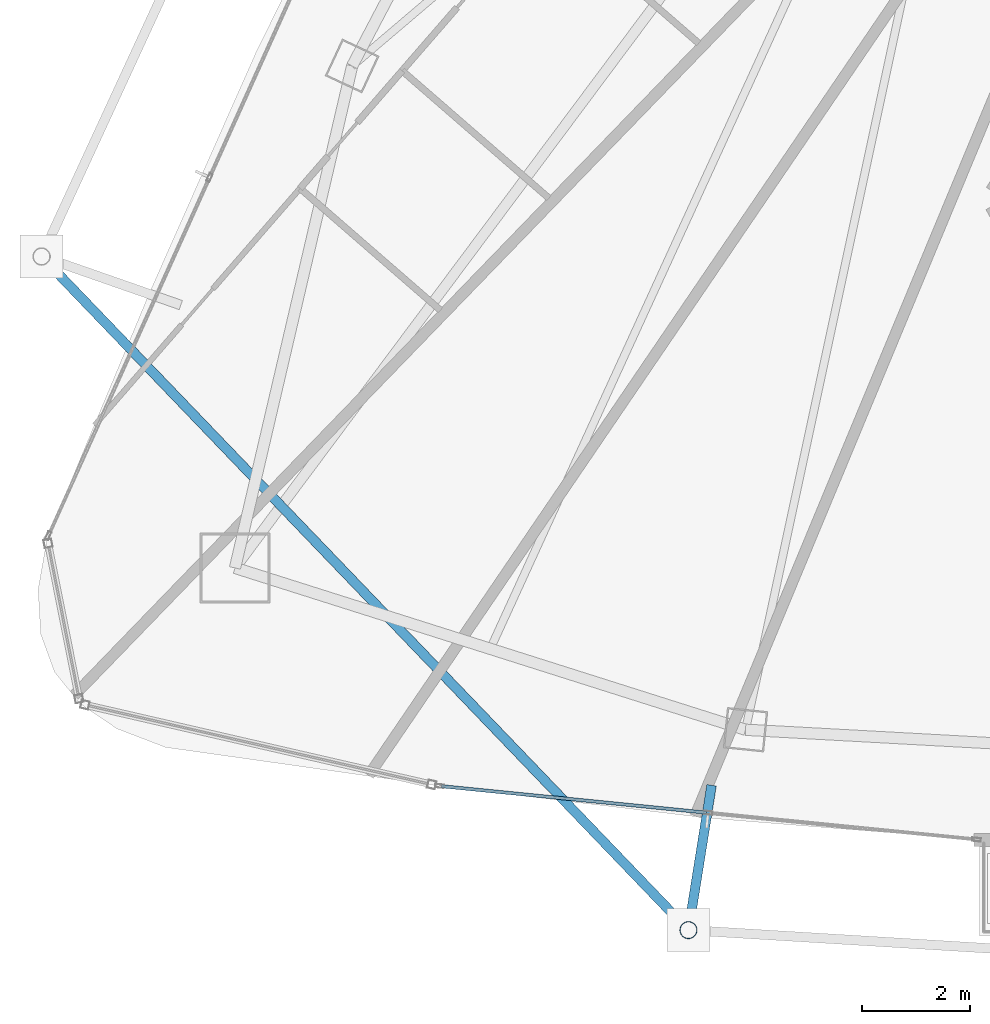
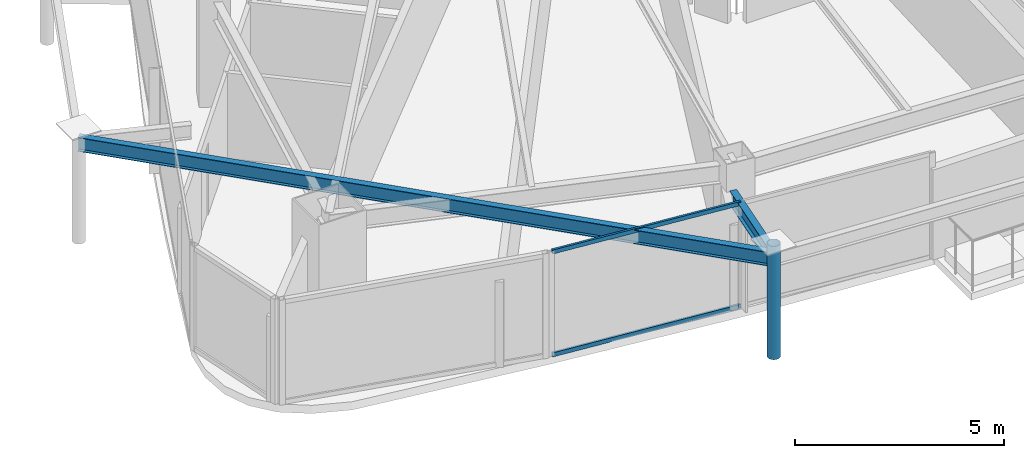
# One storey, part 3 of 29: 3 members, 2 beams, 1 element without a shape of its own.
"""IFC4 building model written with IfcOpenShell, lengths in metres."""

from ifc_helpers import new_model, si_unit, direction, frame, origin, origin_2d, place, context, subcontext, project, spatial, hollow_rectangle, hollow_circle, i_section, extrude, material, layer, layer_set, material_profile, profile_set, type_object, element, aggregate, save


model = new_model("IFC4")

# Units and contexts
model_context = context("Model", 3, precision=1e-05, world=origin(), true_north=direction((0.0, 1.0)))
body_context = subcontext(model_context, "Body", "Model", "MODEL_VIEW")
ifc_project = project(units=[si_unit("LENGTHUNIT", "METRE"), si_unit("AREAUNIT", "SQUARE_METRE"), si_unit("VOLUMEUNIT", "CUBIC_METRE"), si_unit("PLANEANGLEUNIT", "RADIAN"), si_unit("MASSUNIT", "GRAM", prefix="KILO")], contexts=[model_context])

# Site, building, storey
site_placement = place(None, origin())
site = spatial("IfcSite", under=ifc_project, at=site_placement, CompositionType="ELEMENT")
building_placement = place(site_placement, origin())
building = spatial("IfcBuilding", under=site, at=building_placement, Name="Orvanel Arch Residences", CompositionType="ELEMENT")
storey_placement = place(building_placement, frame((0.0, 0.0, 246.949951171875)))
storey = spatial("IfcBuildingStorey", under=building, at=storey_placement, Name="L70", CompositionType="ELEMENT", Elevation=246.949951171875)

# Beams
ifc_material_1 = material(Name="Structural steel AS/NZS 3679.1 Grade 300 (300 MPa)", Category="steel")
ifc_material_profile_1 = material_profile(ifc_material_1, i_section(OverallWidth=0.177978515625, OverallDepth=0.406005859375, WebThickness=0.0078125, FlangeThickness=0.0126953125, at=origin_2d()), Name="410UB59.7")
ifc_profile_set_1 = profile_set([ifc_material_profile_1], Name="Structural steel AS/NZS 3679.1 Grade 300 (300 MPa)")
beam_type = type_object("IfcBeamType", Name="OB-410UB-EXT", PredefinedType="SPANDREL", material=ifc_profile_set_1)
beam_1_placement = place(storey_placement, frame((10.618896484375, 16.114990234375, 2.85693359375), z_axis=(0.692619430275, -0.721303212806, 0.0), x_axis=(0.721303212806, 0.692619430275, 0.0)))
element("IfcBeam", 1, at=beam_1_placement, inside=storey, type_object=beam_type, Name="L70 Outer Perimeter Floor Ring Beam 04", PredefinedType="SPANDREL", context=body_context, shape_type="SweptSolid", body=[
    extrude(i_section(OverallWidth=0.177978515625, OverallDepth=0.406005859375, WebThickness=0.0078125, FlangeThickness=0.0126953125, at=origin_2d()), origin(), (0.0, 0.0, 1.0), 17.286865234375),
])
beam_2_placement = place(storey_placement, frame((23.02001953125, 6.327880859375, 2.85693359375), z_axis=(-0.157587289268, -0.987505061385, 0.0), x_axis=(0.987505061385, -0.157587289268, 0.0)))
element("IfcBeam", 2, at=beam_2_placement, inside=storey, type_object=beam_type, Name="L70 Outer Frame Radial Tie Beam 05", PredefinedType="SPANDREL", context=body_context, shape_type="SweptSolid", body=[
    extrude(i_section(OverallWidth=0.177978515625, OverallDepth=0.406005859375, WebThickness=0.0078125, FlangeThickness=0.0126953125, at=origin_2d()), origin(), (0.0, 0.0, 1.0), 2.7158203125),
])

# Member
ifc_material_2 = material(Name="Structural steel AS/NZS 1163 C350L0 (Grade 350)", Category="steel")
ifc_material_profile_2 = material_profile(ifc_material_2, hollow_circle(Radius=0.162109375, WallThickness=0.0126953125, at=origin_2d()), Name="CHS324x12.7")
ifc_profile_set_2 = profile_set([ifc_material_profile_2], Name="Structural steel AS/NZS 1163 C350L0 (Grade 350)")
member_type_1 = type_object("IfcMemberType", Name="ST-324CHS-EXT", PredefinedType="STRUT", material=ifc_profile_set_2)
member_1_placement = place(storey_placement, frame((22.592041015625, 3.64599609375, 0.0), z_axis=(0.0, 0.0, 1.0), x_axis=(1.0, 0.0, 0.0)))
element("IfcMember", 3, at=member_1_placement, inside=storey, type_object=member_type_1, Name="L70 Outer Perimeter Frame Post 05", PredefinedType="STRUT", context=body_context, shape_type="SweptSolid", body=[
    extrude(hollow_circle(Radius=0.162109375, WallThickness=0.0126953125, at=origin_2d()), origin(), (0.0, 0.0, 1.0), 3.300048828125),
])

# Curtain wall, members
ifc_material_3 = material(Name="Bronze-anodised aluminium AA6063-T6", Category="aluminium")
ifc_layer = layer(ifc_material_3, 0.175048828125)
ifc_layer_set = layer_set([ifc_layer], Name="Bronze-anodised aluminium AA6063-T6")
curtain_wall_type = type_object("IfcCurtainWallType", Name="CW4-HI-SYS", PredefinedType="NOTDEFINED", material=ifc_layer_set)
curtain_wall_placement = place(storey_placement, origin())
curtain_wall = element("IfcCurtainWall", 4, at=curtain_wall_placement, inside=storey, type_object=curtain_wall_type, Name="L70 CW4-HI-SYS Unitised Curtain Wall", PredefinedType="NOTDEFINED")
ifc_material_profile_3 = material_profile(ifc_material_3, hollow_rectangle(XDim=0.06005859375, YDim=0.1201171875, WallThickness=0.00341796875, at=origin_2d()), Name="ALU120x60x3.5")
ifc_profile_set_3 = profile_set([ifc_material_profile_3], Name="Bronze-anodised aluminium AA6063-T6")
member_type_2 = type_object("IfcMemberType", Name="TRN-120x60", PredefinedType="USERDEFINED", material=ifc_profile_set_3)
member_2_placement = place(storey_placement, frame((18.017578125, 6.310546875, 0.030029296875), z_axis=(0.995053357637, -0.099341911881, 0.0), x_axis=(0.099341911881, 0.995053357637, 0.0)))
member_2 = element("IfcMember", 5, at=member_2_placement, type_object=member_type_2, Name="CW-S4 transom 1.1", ObjectType="TRANSOM", PredefinedType="USERDEFINED", context=body_context, shape_type="SweptSolid", body=[
    extrude(hollow_rectangle(XDim=0.06005859375, YDim=0.1201171875, WallThickness=0.00341796875, at=origin_2d()), origin(), (0.0, 0.0, 1.0), 4.929931640625),
])
member_3_placement = place(storey_placement, frame((18.017578125, 6.310546875, 3.030029296875), z_axis=(0.995053357637, -0.099341911881, 0.0), x_axis=(0.099341911881, 0.995053357637, 0.0)))
member_3 = element("IfcMember", 6, at=member_3_placement, type_object=member_type_2, Name="CW-S4 transom 1.2", ObjectType="TRANSOM", PredefinedType="USERDEFINED", context=body_context, shape_type="SweptSolid", body=[
    extrude(hollow_rectangle(XDim=0.06005859375, YDim=0.1201171875, WallThickness=0.00341796875, at=origin_2d()), origin(), (0.0, 0.0, 1.0), 4.929931640625),
])
aggregate(curtain_wall, [member_2, member_3])

save(model, "model.ifc")
